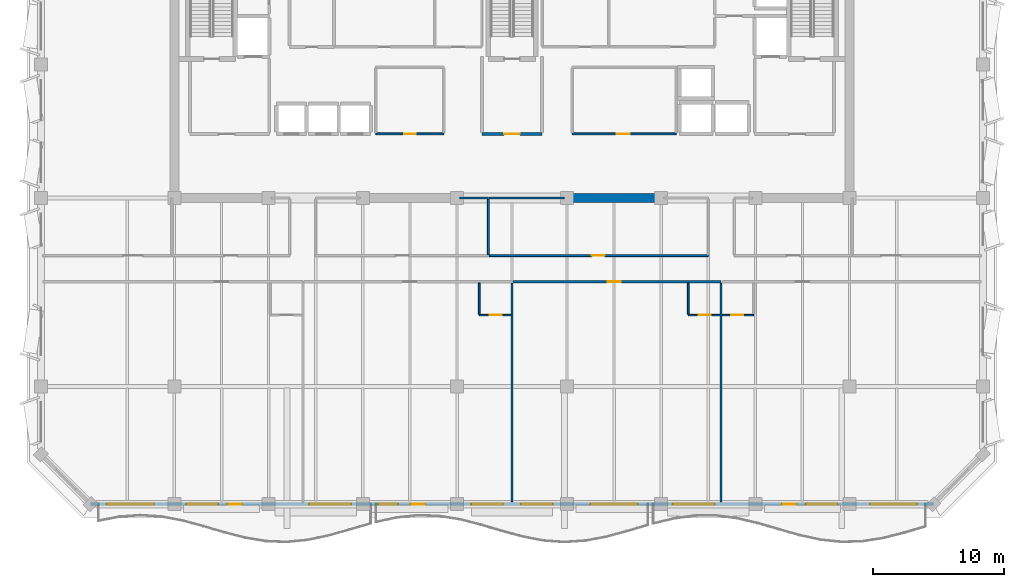
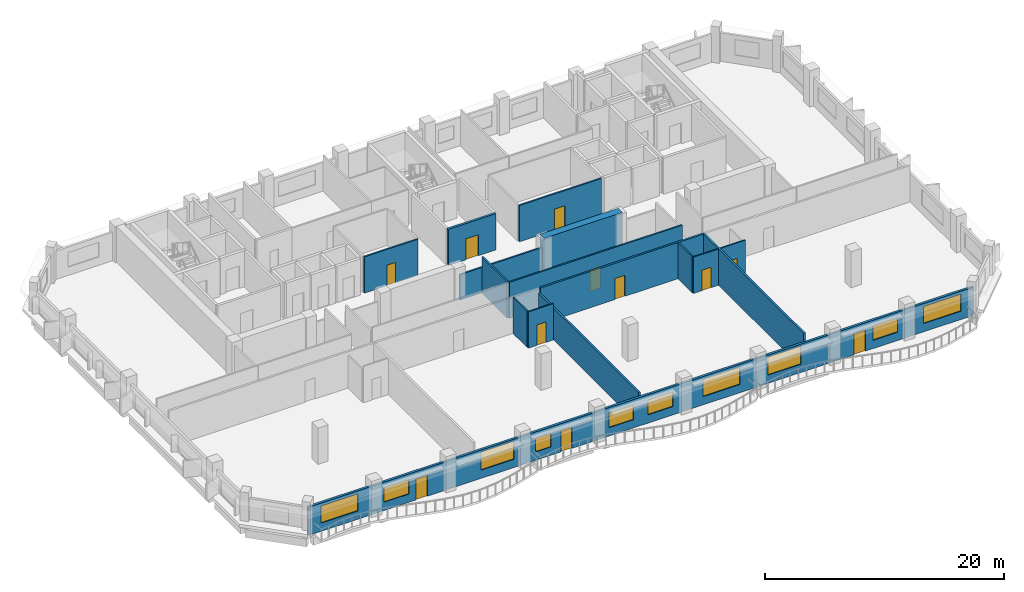
# One storey, part 4 of 11: 17 walls, 11 doors, 10 windows, 21 openings.
"""IFC4 building model written with IfcOpenShell, lengths in metres."""

from ifc_helpers import new_model, si_unit, direction, frame, frame_2d, origin, place, context, subcontext, project, spatial, rectangle, extrude, material, layer, layer_set, type_object, element, fill, save


model = new_model("IFC4")

# Units and contexts
model_context = context("Model", 3, precision=1e-05, world=origin(), true_north=direction((0.0, 1.0)))
body_context = subcontext(model_context, "Body", "Model", "MODEL_VIEW")
ifc_project = project(units=[si_unit("LENGTHUNIT", "METRE"), si_unit("AREAUNIT", "SQUARE_METRE"), si_unit("VOLUMEUNIT", "CUBIC_METRE"), si_unit("PLANEANGLEUNIT", "RADIAN"), si_unit("MASSUNIT", "GRAM", prefix="KILO")], contexts=[model_context])

# Site, building, storey
site_placement = place(None, origin())
site = spatial("IfcSite", under=ifc_project, at=site_placement, CompositionType="ELEMENT")
building_placement = place(site_placement, origin())
building = spatial("IfcBuilding", under=site, at=building_placement, Name="Kaelvorn Grand Hotel", CompositionType="ELEMENT")
storey_placement = place(building_placement, frame((0.0, 0.0, 268.64990234375)))
storey = spatial("IfcBuildingStorey", under=building, at=storey_placement, Name="L66", CompositionType="ELEMENT", Elevation=268.64990234375)

# Wall
ifc_material_1 = material(Name="Concrete C50/60", Category="concrete")
ifc_layer_1 = layer(ifc_material_1, 0.699951171875)
ifc_layer_set_1 = layer_set([ifc_layer_1], Name="Concrete C50/60")
wall_type_1 = type_object("IfcWallType", Name="WL-CORE-700-C50", PredefinedType="SHEAR", material=ifc_layer_set_1)
wall_1_placement = place(storey_placement, frame((46.0, 29.39990234375, 0.0), z_axis=(0.0, 0.0, 1.0), x_axis=(1.0, 0.0, 0.0)))
element("IfcWall", 1, at=wall_1_placement, inside=storey, type_object=wall_type_1, Name="L66 Rear-Core Coupled Shear Pier S3", PredefinedType="SHEAR", context=body_context, shape_type="SweptSolid", body=[
    extrude(rectangle(XDim=7.60009765625, YDim=0.699951171875, at=frame_2d((3.800048828125, 0.0))), origin(), (0.0, 0.0, 1.0), 3.710205078125),
])

# Wall, openings, doors, windows
ifc_material_2 = material(Name="Concrete C40/50", Category="concrete")
ifc_layer_2 = layer(ifc_material_2, 0.219970703125)
ifc_layer_set_2 = layer_set([ifc_layer_2], Name="Concrete C40/50")
wall_type_2 = type_object("IfcWallType", Name="WL-EXT-220-C40", PredefinedType="SOLIDWALL", material=ifc_layer_set_2)
wall_2_placement = place(storey_placement, frame((9.800048828125, 6.0, 0.0), z_axis=(0.0, 0.0, 1.0), x_axis=(1.0, 0.0, 0.0)))
wall_2 = element("IfcWall", 2, at=wall_2_placement, inside=storey, type_object=wall_type_2, Name="L66 Exterior Architectural Concrete Wall 01", PredefinedType="SOLIDWALL", context=body_context, shape_type="SweptSolid", body=[
    extrude(rectangle(XDim=64.39990234375, YDim=0.219970703125, at=frame_2d((32.199951171875, 0.0))), origin(), (0.0, 0.0, 1.0), 2.91015625),
])
opening_1_placement = place(wall_2_placement, frame((10.449951171875, 0.0, 0.0)))
opening_1 = element("IfcOpeningElement", 3, at=opening_1_placement, cuts=wall_2, Name="Opening DE2", PredefinedType="OPENING", context=body_context, shape_type="SweptSolid", body=[
    extrude(rectangle(XDim=1.10009765625, YDim=2.14990234375, at=frame_2d((0.550048828125, 1.074951171875))), frame((0.0, 0.1201171875, 0.0), z_axis=(0.0, -1.0, 0.0), x_axis=(1.0, 0.0, 0.0)), (0.0, 0.0, 1.0), 0.239990234375),
])
opening_2_placement = place(wall_2_placement, frame((24.449951171875, 0.0, 0.0)))
opening_2 = element("IfcOpeningElement", 4, at=opening_2_placement, cuts=wall_2, Name="Opening DE2", PredefinedType="OPENING", context=body_context, shape_type="SweptSolid", body=[
    extrude(rectangle(XDim=1.10009765625, YDim=2.14990234375, at=frame_2d((0.550048828125, 1.074951171875))), frame((0.0, 0.1201171875, 0.0), z_axis=(0.0, -1.0, 0.0), x_axis=(1.0, 0.0, 0.0)), (0.0, 0.0, 1.0), 0.239990234375),
])
opening_3_placement = place(wall_2_placement, frame((52.85009765625, 0.0, 0.0)))
opening_3 = element("IfcOpeningElement", 5, at=opening_3_placement, cuts=wall_2, Name="Opening DE2", PredefinedType="OPENING", context=body_context, shape_type="SweptSolid", body=[
    extrude(rectangle(XDim=1.10009765625, YDim=2.14990234375, at=frame_2d((0.550048828125, 1.074951171875))), frame((0.0, 0.1201171875, 0.0), z_axis=(0.0, -1.0, 0.0), x_axis=(1.0, 0.0, 0.0)), (0.0, 0.0, 1.0), 0.239990234375),
])
opening_4_placement = place(wall_2_placement, frame((1.235107421875, 0.0, 0.85009765625)))
opening_4 = element("IfcOpeningElement", 6, at=opening_4_placement, cuts=wall_2, Name="Opening W3", PredefinedType="OPENING", context=body_context, shape_type="SweptSolid", body=[
    extrude(rectangle(XDim=3.60009765625, YDim=1.75, at=frame_2d((1.800048828125, 0.875))), frame((0.0, 0.1201171875, 0.0), z_axis=(0.0, -1.0, 0.0), x_axis=(1.0, 0.0, 0.0)), (0.0, 0.0, 1.0), 0.239990234375),
])
opening_5_placement = place(wall_2_placement, frame((7.340087890625, 0.0, 0.85009765625)))
opening_5 = element("IfcOpeningElement", 7, at=opening_5_placement, cuts=wall_2, Name="Opening W6", PredefinedType="OPENING", context=body_context, shape_type="SweptSolid", body=[
    extrude(rectangle(XDim=2.39990234375, YDim=1.5, at=frame_2d((1.199951171875, 0.75))), frame((0.0, 0.1201171875, 0.0), z_axis=(0.0, -1.0, 0.0), x_axis=(1.0, 0.0, 0.0)), (0.0, 0.0, 1.0), 0.239990234375),
])
opening_6_placement = place(wall_2_placement, frame((16.71240234375, 0.0, 0.85009765625)))
opening_6 = element("IfcOpeningElement", 8, at=opening_6_placement, cuts=wall_2, Name="Opening W4", PredefinedType="OPENING", context=body_context, shape_type="SweptSolid", body=[
    extrude(rectangle(XDim=3.199951171875, YDim=1.85009765625, at=frame_2d((1.60009765625, 0.925048828125))), frame((0.0, 0.1201171875, 0.0), z_axis=(0.0, -1.0, 0.0), x_axis=(1.0, 0.0, 0.0)), (0.0, 0.0, 1.0), 0.239990234375),
])
opening_7_placement = place(wall_2_placement, frame((21.989990234375, 0.0, 0.85009765625)))
opening_7 = element("IfcOpeningElement", 9, at=opening_7_placement, cuts=wall_2, Name="Opening W10", PredefinedType="OPENING", context=body_context, shape_type="SweptSolid", body=[
    extrude(rectangle(XDim=1.5, YDim=1.39990234375, at=frame_2d((0.75, 0.699951171875))), frame((0.0, 0.1201171875, 0.0), z_axis=(0.0, -1.0, 0.0), x_axis=(1.0, 0.0, 0.0)), (0.0, 0.0, 1.0), 0.239990234375),
])
opening_8_placement = place(wall_2_placement, frame((29.10009765625, 0.0, 0.85009765625)))
opening_8 = element("IfcOpeningElement", 10, at=opening_8_placement, cuts=wall_2, Name="Opening W6", PredefinedType="OPENING", context=body_context, shape_type="SweptSolid", body=[
    extrude(rectangle(XDim=2.39990234375, YDim=1.5, at=frame_2d((1.199951171875, 0.75))), frame((0.0, 0.1201171875, 0.0), z_axis=(0.0, -1.0, 0.0), x_axis=(1.0, 0.0, 0.0)), (0.0, 0.0, 1.0), 0.239990234375),
])
opening_9_placement = place(wall_2_placement, frame((32.89990234375, 0.0, 0.85009765625)))
opening_9 = element("IfcOpeningElement", 11, at=opening_9_placement, cuts=wall_2, Name="Opening W6", PredefinedType="OPENING", context=body_context, shape_type="SweptSolid", body=[
    extrude(rectangle(XDim=2.39990234375, YDim=1.5, at=frame_2d((1.199951171875, 0.75))), frame((0.0, 0.1201171875, 0.0), z_axis=(0.0, -1.0, 0.0), x_axis=(1.0, 0.0, 0.0)), (0.0, 0.0, 1.0), 0.239990234375),
])
opening_10_placement = place(wall_2_placement, frame((38.199951171875, 0.0, 0.85009765625)))
opening_10 = element("IfcOpeningElement", 12, at=opening_10_placement, cuts=wall_2, Name="Opening W3", PredefinedType="OPENING", context=body_context, shape_type="SweptSolid", body=[
    extrude(rectangle(XDim=3.60009765625, YDim=1.75, at=frame_2d((1.800048828125, 0.875))), frame((0.0, 0.1201171875, 0.0), z_axis=(0.0, -1.0, 0.0), x_axis=(1.0, 0.0, 0.0)), (0.0, 0.0, 1.0), 0.239990234375),
])
opening_11_placement = place(wall_2_placement, frame((44.487548828125, 0.0, 0.85009765625)))
opening_11 = element("IfcOpeningElement", 13, at=opening_11_placement, cuts=wall_2, Name="Opening W4", PredefinedType="OPENING", context=body_context, shape_type="SweptSolid", body=[
    extrude(rectangle(XDim=3.199951171875, YDim=1.85009765625, at=frame_2d((1.60009765625, 0.925048828125))), frame((0.0, 0.1201171875, 0.0), z_axis=(0.0, -1.0, 0.0), x_axis=(1.0, 0.0, 0.0)), (0.0, 0.0, 1.0), 0.239990234375),
])
opening_12_placement = place(wall_2_placement, frame((54.659912109375, 0.0, 0.85009765625)))
opening_12 = element("IfcOpeningElement", 14, at=opening_12_placement, cuts=wall_2, Name="Opening W6", PredefinedType="OPENING", context=body_context, shape_type="SweptSolid", body=[
    extrude(rectangle(XDim=2.39990234375, YDim=1.5, at=frame_2d((1.199951171875, 0.75))), frame((0.0, 0.1201171875, 0.0), z_axis=(0.0, -1.0, 0.0), x_axis=(1.0, 0.0, 0.0)), (0.0, 0.0, 1.0), 0.239990234375),
])
opening_13_placement = place(wall_2_placement, frame((59.56494140625, 0.0, 0.85009765625)))
opening_13 = element("IfcOpeningElement", 15, at=opening_13_placement, cuts=wall_2, Name="Opening W3", PredefinedType="OPENING", context=body_context, shape_type="SweptSolid", body=[
    extrude(rectangle(XDim=3.60009765625, YDim=1.75, at=frame_2d((1.800048828125, 0.875))), frame((0.0, 0.1201171875, 0.0), z_axis=(0.0, -1.0, 0.0), x_axis=(1.0, 0.0, 0.0)), (0.0, 0.0, 1.0), 0.239990234375),
])
ifc_material_3 = material(Name="Anodised Aluminium", Category="aluminium")
door_type_1 = type_object("IfcDoorType", Name="DR-EXT-BALC-1100x2150", OperationType="NOTDEFINED", PredefinedType="DOOR", material=ifc_material_3)
door_1_placement = place(opening_1_placement, origin())
door_1 = element("IfcDoor", 16, at=door_1_placement, inside=storey, type_object=door_type_1, Name="L66 Scalloped Balcony Glazed Door DE2-1", OperationType="SINGLE_SWING_LEFT", OverallHeight=2.14990234375, OverallWidth=1.10009765625, PredefinedType="DOOR", context=body_context, shape_type="SweptSolid", body=[
    extrude(rectangle(XDim=1.10009765625, YDim=2.14990234375, at=frame_2d((0.550048828125, 1.074951171875))), frame((0.0, 0.02490234375, 0.0), z_axis=(0.0, -1.0, 0.0), x_axis=(1.0, 0.0, 0.0)), (0.0, 0.0, 1.0), 0.050048828125),
])
fill(opening_1, door_1)
door_2_placement = place(opening_2_placement, origin())
door_2 = element("IfcDoor", 17, at=door_2_placement, inside=storey, type_object=door_type_1, Name="L66 Scalloped Balcony Glazed Door DE2-2", OperationType="SINGLE_SWING_RIGHT", OverallHeight=2.14990234375, OverallWidth=1.10009765625, PredefinedType="DOOR", context=body_context, shape_type="SweptSolid", body=[
    extrude(rectangle(XDim=1.10009765625, YDim=2.14990234375, at=frame_2d((0.550048828125, 1.074951171875))), frame((0.0, 0.02490234375, 0.0), z_axis=(0.0, -1.0, 0.0), x_axis=(1.0, 0.0, 0.0)), (0.0, 0.0, 1.0), 0.050048828125),
])
fill(opening_2, door_2)
door_3_placement = place(opening_3_placement, origin())
door_3 = element("IfcDoor", 18, at=door_3_placement, inside=storey, type_object=door_type_1, Name="L66 Scalloped Balcony Glazed Door DE2-3", OperationType="SINGLE_SWING_LEFT", OverallHeight=2.14990234375, OverallWidth=1.10009765625, PredefinedType="DOOR", context=body_context, shape_type="SweptSolid", body=[
    extrude(rectangle(XDim=1.10009765625, YDim=2.14990234375, at=frame_2d((0.550048828125, 1.074951171875))), frame((0.0, 0.02490234375, 0.0), z_axis=(0.0, -1.0, 0.0), x_axis=(1.0, 0.0, 0.0)), (0.0, 0.0, 1.0), 0.050048828125),
])
fill(opening_3, door_3)
ifc_material_4 = material(Name="Laminated Low-E Glass", Category="glass")
window_type_1 = type_object("IfcWindowType", Name="WIN-COR-1500x1400", PartitioningType="SINGLE_PANEL", PredefinedType="WINDOW", material=ifc_material_4)
window_1_placement = place(opening_7_placement, origin())
window_1 = element("IfcWindow", 19, at=window_1_placement, inside=storey, type_object=window_type_1, Name="L66 South Guestroom Ribbon Window SR04", OverallHeight=1.39990234375, OverallWidth=1.5, PartitioningType="SINGLE_PANEL", PredefinedType="WINDOW", context=body_context, shape_type="SweptSolid", body=[
    extrude(rectangle(XDim=1.5, YDim=1.39990234375, at=frame_2d((0.75, 0.699951171875))), frame((0.0, 0.030029296875, 0.0), z_axis=(0.0, -1.0, 0.0), x_axis=(1.0, 0.0, 0.0)), (0.0, 0.0, 1.0), 0.06005859375),
])
fill(opening_7, window_1)
window_type_2 = type_object("IfcWindowType", Name="WIN-NTH-2400x1500", PartitioningType="SINGLE_PANEL", PredefinedType="WINDOW", material=ifc_material_4)
window_2_placement = place(opening_5_placement, origin())
window_2 = element("IfcWindow", 20, at=window_2_placement, inside=storey, type_object=window_type_2, Name="L66 South Guestroom Ribbon Window SR02", OverallHeight=1.5, OverallWidth=2.39990234375, PartitioningType="SINGLE_PANEL", PredefinedType="WINDOW", context=body_context, shape_type="SweptSolid", body=[
    extrude(rectangle(XDim=2.39990234375, YDim=1.5, at=frame_2d((1.199951171875, 0.75))), frame((0.0, 0.030029296875, 0.0), z_axis=(0.0, -1.0, 0.0), x_axis=(1.0, 0.0, 0.0)), (0.0, 0.0, 1.0), 0.06005859375),
])
fill(opening_5, window_2)
window_3_placement = place(opening_8_placement, origin())
window_3 = element("IfcWindow", 21, at=window_3_placement, inside=storey, type_object=window_type_2, Name="L66 South Guestroom Ribbon Window SR05", OverallHeight=1.5, OverallWidth=2.39990234375, PartitioningType="SINGLE_PANEL", PredefinedType="WINDOW", context=body_context, shape_type="SweptSolid", body=[
    extrude(rectangle(XDim=2.39990234375, YDim=1.5, at=frame_2d((1.199951171875, 0.75))), frame((0.0, 0.030029296875, 0.0), z_axis=(0.0, -1.0, 0.0), x_axis=(1.0, 0.0, 0.0)), (0.0, 0.0, 1.0), 0.06005859375),
])
fill(opening_8, window_3)
window_4_placement = place(opening_9_placement, origin())
window_4 = element("IfcWindow", 22, at=window_4_placement, inside=storey, type_object=window_type_2, Name="L66 South Guestroom Ribbon Window SR06", OverallHeight=1.5, OverallWidth=2.39990234375, PartitioningType="SINGLE_PANEL", PredefinedType="WINDOW", context=body_context, shape_type="SweptSolid", body=[
    extrude(rectangle(XDim=2.39990234375, YDim=1.5, at=frame_2d((1.199951171875, 0.75))), frame((0.0, 0.030029296875, 0.0), z_axis=(0.0, -1.0, 0.0), x_axis=(1.0, 0.0, 0.0)), (0.0, 0.0, 1.0), 0.06005859375),
])
fill(opening_9, window_4)
window_5_placement = place(opening_12_placement, origin())
window_5 = element("IfcWindow", 23, at=window_5_placement, inside=storey, type_object=window_type_2, Name="L66 South Guestroom Ribbon Window SR09", OverallHeight=1.5, OverallWidth=2.39990234375, PartitioningType="SINGLE_PANEL", PredefinedType="WINDOW", context=body_context, shape_type="SweptSolid", body=[
    extrude(rectangle(XDim=2.39990234375, YDim=1.5, at=frame_2d((1.199951171875, 0.75))), frame((0.0, 0.030029296875, 0.0), z_axis=(0.0, -1.0, 0.0), x_axis=(1.0, 0.0, 0.0)), (0.0, 0.0, 1.0), 0.06005859375),
])
fill(opening_12, window_5)
window_type_3 = type_object("IfcWindowType", Name="WIN-RIB-3200x1850", PartitioningType="SINGLE_PANEL", PredefinedType="WINDOW", material=ifc_material_4)
window_6_placement = place(opening_6_placement, origin())
window_6 = element("IfcWindow", 24, at=window_6_placement, inside=storey, type_object=window_type_3, Name="L66 South Guestroom Ribbon Window SR03", OverallHeight=1.85009765625, OverallWidth=3.199951171875, PartitioningType="SINGLE_PANEL", PredefinedType="WINDOW", context=body_context, shape_type="SweptSolid", body=[
    extrude(rectangle(XDim=3.199951171875, YDim=1.85009765625, at=frame_2d((1.60009765625, 0.925048828125))), frame((0.0, 0.030029296875, 0.0), z_axis=(0.0, -1.0, 0.0), x_axis=(1.0, 0.0, 0.0)), (0.0, 0.0, 1.0), 0.06005859375),
])
fill(opening_6, window_6)
window_7_placement = place(opening_11_placement, origin())
window_7 = element("IfcWindow", 25, at=window_7_placement, inside=storey, type_object=window_type_3, Name="L66 South Guestroom Ribbon Window SR08", OverallHeight=1.85009765625, OverallWidth=3.199951171875, PartitioningType="SINGLE_PANEL", PredefinedType="WINDOW", context=body_context, shape_type="SweptSolid", body=[
    extrude(rectangle(XDim=3.199951171875, YDim=1.85009765625, at=frame_2d((1.60009765625, 0.925048828125))), frame((0.0, 0.030029296875, 0.0), z_axis=(0.0, -1.0, 0.0), x_axis=(1.0, 0.0, 0.0)), (0.0, 0.0, 1.0), 0.06005859375),
])
fill(opening_11, window_7)
window_type_4 = type_object("IfcWindowType", Name="WIN-RIB-3600x1750", PartitioningType="SINGLE_PANEL", PredefinedType="WINDOW", material=ifc_material_4)
window_8_placement = place(opening_4_placement, origin())
window_8 = element("IfcWindow", 26, at=window_8_placement, inside=storey, type_object=window_type_4, Name="L66 South Guestroom Ribbon Window SR01", OverallHeight=1.75, OverallWidth=3.60009765625, PartitioningType="SINGLE_PANEL", PredefinedType="WINDOW", context=body_context, shape_type="SweptSolid", body=[
    extrude(rectangle(XDim=3.60009765625, YDim=1.75, at=frame_2d((1.800048828125, 0.875))), frame((0.0, 0.030029296875, 0.0), z_axis=(0.0, -1.0, 0.0), x_axis=(1.0, 0.0, 0.0)), (0.0, 0.0, 1.0), 0.06005859375),
])
fill(opening_4, window_8)
window_9_placement = place(opening_10_placement, origin())
window_9 = element("IfcWindow", 27, at=window_9_placement, inside=storey, type_object=window_type_4, Name="L66 South Guestroom Ribbon Window SR07", OverallHeight=1.75, OverallWidth=3.60009765625, PartitioningType="SINGLE_PANEL", PredefinedType="WINDOW", context=body_context, shape_type="SweptSolid", body=[
    extrude(rectangle(XDim=3.60009765625, YDim=1.75, at=frame_2d((1.800048828125, 0.875))), frame((0.0, 0.030029296875, 0.0), z_axis=(0.0, -1.0, 0.0), x_axis=(1.0, 0.0, 0.0)), (0.0, 0.0, 1.0), 0.06005859375),
])
fill(opening_10, window_9)
window_10_placement = place(opening_13_placement, origin())
window_10 = element("IfcWindow", 28, at=window_10_placement, inside=storey, type_object=window_type_4, Name="L66 South Guestroom Ribbon Window SR10", OverallHeight=1.75, OverallWidth=3.60009765625, PartitioningType="SINGLE_PANEL", PredefinedType="WINDOW", context=body_context, shape_type="SweptSolid", body=[
    extrude(rectangle(XDim=3.60009765625, YDim=1.75, at=frame_2d((1.800048828125, 0.875))), frame((0.0, 0.030029296875, 0.0), z_axis=(0.0, -1.0, 0.0), x_axis=(1.0, 0.0, 0.0)), (0.0, 0.0, 1.0), 0.06005859375),
])
fill(opening_13, window_10)

# Wall, opening, door
ifc_material_5 = material(Name="Moisture-Resistant Tile & Stud Board")
ifc_layer_3 = layer(ifc_material_5, 0.125)
ifc_layer_set_3 = layer_set([ifc_layer_3], Name="Moisture-Resistant Tile & Stud Board")
wall_type_3 = type_object("IfcWallType", Name="WL-PART-125-WET", PredefinedType="PARTITIONING", material=ifc_layer_set_3)
wall_3_placement = place(storey_placement, frame((39.5, 20.449951171875, 0.0), z_axis=(0.0, 0.0, 1.0), x_axis=(1.0, 0.0, 0.0)))
wall_3 = element("IfcWall", 29, at=wall_3_placement, inside=storey, type_object=wall_type_3, Name="L66 En-suite Bathroom L66-02 S Partition", PredefinedType="PARTITIONING", context=body_context, shape_type="SweptSolid", body=[
    extrude(rectangle(XDim=2.405029296875, YDim=0.125, at=frame_2d((1.20263671875, 0.0))), origin(), (0.0, 0.0, 1.0), 3.710205078125),
])
opening_14_placement = place(wall_3_placement, frame((0.800048828125, 0.0, 0.0)))
opening_14 = element("IfcOpeningElement", 30, at=opening_14_placement, cuts=wall_3, Name="Opening DI4", PredefinedType="OPENING", context=body_context, shape_type="SweptSolid", body=[
    extrude(rectangle(XDim=0.89990234375, YDim=2.10009765625, at=frame_2d((0.449951171875, 1.050048828125))), frame((0.0, 0.072509765625, 0.0), z_axis=(0.0, -1.0, 0.0), x_axis=(1.0, 0.0, 0.0)), (0.0, 0.0, 1.0), 0.14501953125),
])
ifc_material_6 = material(Name="Timber Veneer Leaf", Category="wood")
door_type_2 = type_object("IfcDoorType", Name="DR-INT-BATH-900x2100", OperationType="NOTDEFINED", PredefinedType="DOOR", material=ifc_material_6)
door_4_placement = place(opening_14_placement, origin())
door_4 = element("IfcDoor", 31, at=door_4_placement, inside=storey, type_object=door_type_2, Name="L66 En-suite Bathroom L66-02 Door", OperationType="SINGLE_SWING_LEFT", OverallHeight=2.10009765625, OverallWidth=0.89990234375, PredefinedType="DOOR", context=body_context, shape_type="SweptSolid", body=[
    extrude(rectangle(XDim=0.89990234375, YDim=2.10009765625, at=frame_2d((0.449951171875, 1.050048828125))), frame((0.0, 0.02490234375, 0.0), z_axis=(0.0, -1.0, 0.0), x_axis=(1.0, 0.0, 0.0)), (0.0, 0.0, 1.0), 0.050048828125),
])
fill(opening_14, door_4)

# Wall
wall_4_placement = place(storey_placement, frame((39.5, 20.517578125, 0.0), z_axis=(0.0, 0.0, 1.0), x_axis=(0.0, 1.0, 0.0)))
element("IfcWall", 32, at=wall_4_placement, inside=storey, type_object=wall_type_3, Name="L66 En-suite Bathroom L66-02 W Partition", PredefinedType="PARTITIONING", context=body_context, shape_type="SweptSolid", body=[
    extrude(rectangle(XDim=2.387451171875, YDim=0.125, at=frame_2d((1.19384765625, 0.0))), origin(), (0.0, 0.0, 1.0), 3.710205078125),
])

# Wall, opening, door
wall_5_placement = place(storey_placement, frame((55.47509765625, 20.449951171875, 0.0), z_axis=(0.0, 0.0, 1.0), x_axis=(1.0, 0.0, 0.0)))
wall_5 = element("IfcWall", 33, at=wall_5_placement, inside=storey, type_object=wall_type_3, Name="L66 En-suite Bathroom L66-03 S Partition", PredefinedType="PARTITIONING", context=body_context, shape_type="SweptSolid", body=[
    extrude(rectangle(XDim=2.40478515625, YDim=0.125, at=frame_2d((1.202392578125, 0.0))), origin(), (0.0, 0.0, 1.0), 3.710205078125),
])
opening_15_placement = place(wall_5_placement, frame((0.800048828125, 0.0, 0.0)))
opening_15 = element("IfcOpeningElement", 34, at=opening_15_placement, cuts=wall_5, Name="Opening DI4", PredefinedType="OPENING", context=body_context, shape_type="SweptSolid", body=[
    extrude(rectangle(XDim=0.89990234375, YDim=2.10009765625, at=frame_2d((0.449951171875, 1.050048828125))), frame((0.0, 0.072509765625, 0.0), z_axis=(0.0, -1.0, 0.0), x_axis=(1.0, 0.0, 0.0)), (0.0, 0.0, 1.0), 0.14501953125),
])
door_5_placement = place(opening_15_placement, origin())
door_5 = element("IfcDoor", 35, at=door_5_placement, inside=storey, type_object=door_type_2, Name="L66 En-suite Bathroom L66-03 Door", OperationType="SINGLE_SWING_LEFT", OverallHeight=2.10009765625, OverallWidth=0.89990234375, PredefinedType="DOOR", context=body_context, shape_type="SweptSolid", body=[
    extrude(rectangle(XDim=0.89990234375, YDim=2.10009765625, at=frame_2d((0.449951171875, 1.050048828125))), frame((0.0, 0.02490234375, 0.0), z_axis=(0.0, -1.0, 0.0), x_axis=(1.0, 0.0, 0.0)), (0.0, 0.0, 1.0), 0.050048828125),
])
fill(opening_15, door_5)

# Wall
wall_6_placement = place(storey_placement, frame((55.47509765625, 20.517578125, 0.0), z_axis=(0.0, 0.0, 1.0), x_axis=(0.0, 1.0, 0.0)))
element("IfcWall", 36, at=wall_6_placement, inside=storey, type_object=wall_type_3, Name="L66 En-suite Bathroom L66-03 W Partition", PredefinedType="PARTITIONING", context=body_context, shape_type="SweptSolid", body=[
    extrude(rectangle(XDim=2.387451171875, YDim=0.125, at=frame_2d((1.19384765625, 0.0))), origin(), (0.0, 0.0, 1.0), 3.710205078125),
])

# Wall, opening, door
wall_7_placement = place(storey_placement, frame((58.070068359375, 20.449951171875, 0.0), z_axis=(0.0, 0.0, 1.0), x_axis=(1.0, 0.0, 0.0)))
wall_7 = element("IfcWall", 37, at=wall_7_placement, inside=storey, type_object=wall_type_3, Name="L66 En-suite Bathroom L66-04 S Partition", PredefinedType="PARTITIONING", context=body_context, shape_type="SweptSolid", body=[
    extrude(rectangle(XDim=2.405029296875, YDim=0.125, at=frame_2d((1.20263671875, 0.0))), origin(), (0.0, 0.0, 1.0), 3.710205078125),
])
opening_16_placement = place(wall_7_placement, frame((0.705078125, 0.0, 0.0)))
opening_16 = element("IfcOpeningElement", 38, at=opening_16_placement, cuts=wall_7, Name="Opening DI4", PredefinedType="OPENING", context=body_context, shape_type="SweptSolid", body=[
    extrude(rectangle(XDim=0.89990234375, YDim=2.10009765625, at=frame_2d((0.449951171875, 1.050048828125))), frame((0.0, 0.072509765625, 0.0), z_axis=(0.0, -1.0, 0.0), x_axis=(1.0, 0.0, 0.0)), (0.0, 0.0, 1.0), 0.14501953125),
])
door_6_placement = place(opening_16_placement, origin())
door_6 = element("IfcDoor", 39, at=door_6_placement, inside=storey, type_object=door_type_2, Name="L66 En-suite Bathroom L66-04 Door", OperationType="SINGLE_SWING_LEFT", OverallHeight=2.10009765625, OverallWidth=0.89990234375, PredefinedType="DOOR", context=body_context, shape_type="SweptSolid", body=[
    extrude(rectangle(XDim=0.89990234375, YDim=2.10009765625, at=frame_2d((0.449951171875, 1.050048828125))), frame((0.0, 0.02490234375, 0.0), z_axis=(0.0, -1.0, 0.0), x_axis=(1.0, 0.0, 0.0)), (0.0, 0.0, 1.0), 0.050048828125),
])
fill(opening_16, door_6)

ifc_material_7 = material(Name="Acoustic Gypsum & Stud Partition")
ifc_layer_4 = layer(ifc_material_7, 0.14990234375)
ifc_layer_set_4 = layer_set([ifc_layer_4], Name="Acoustic Gypsum & Stud Partition")
wall_type_4 = type_object("IfcWallType", Name="WL-PART-150-EI60", PredefinedType="PARTITIONING", material=ifc_layer_set_4)
wall_8_placement = place(storey_placement, frame((31.60009765625, 34.300048828125, 0.0), z_axis=(0.0, 0.0, 1.0), x_axis=(1.0, 0.0, 0.0)))
wall_8 = element("IfcWall", 40, at=wall_8_placement, inside=storey, type_object=wall_type_4, Name="L66 Core Telecoms & BMS Server Room S Partition", PredefinedType="PARTITIONING", context=body_context, shape_type="SweptSolid", body=[
    extrude(rectangle(XDim=5.199951171875, YDim=0.14990234375, at=frame_2d((2.60009765625, 0.0))), origin(), (0.0, 0.0, 1.0), 3.710205078125),
])
opening_17_placement = place(wall_8_placement, frame((2.175048828125, 0.0, 0.0)))
opening_17 = element("IfcOpeningElement", 41, at=opening_17_placement, cuts=wall_8, Name="Opening DI7", PredefinedType="OPENING", context=body_context, shape_type="SweptSolid", body=[
    extrude(rectangle(XDim=0.85009765625, YDim=2.10009765625, at=frame_2d((0.425048828125, 1.050048828125))), frame((0.0, 0.0849609375, 0.0), z_axis=(0.0, -1.0, 0.0), x_axis=(1.0, 0.0, 0.0)), (0.0, 0.0, 1.0), 0.169921875),
])
ifc_material_8 = material(Name="Powder-Coated Steel Leaf", Category="steel")
door_type_3 = type_object("IfcDoorType", Name="DR-INT-RISER-850x2100", OperationType="NOTDEFINED", PredefinedType="DOOR", material=ifc_material_8)
door_7_placement = place(opening_17_placement, origin())
door_7 = element("IfcDoor", 42, at=door_7_placement, inside=storey, type_object=door_type_3, Name="L66 Core Telecoms & BMS Server Room Door", OperationType="SINGLE_SWING_LEFT", OverallHeight=2.10009765625, OverallWidth=0.85009765625, PredefinedType="DOOR", context=body_context, shape_type="SweptSolid", body=[
    extrude(rectangle(XDim=0.85009765625, YDim=2.10009765625, at=frame_2d((0.425048828125, 1.050048828125))), frame((0.0, 0.02490234375, 0.0), z_axis=(0.0, -1.0, 0.0), x_axis=(1.0, 0.0, 0.0)), (0.0, 0.0, 1.0), 0.050048828125),
])
fill(opening_17, door_7)

wall_9_placement = place(storey_placement, frame((46.60009765625, 34.300048828125, 0.0), z_axis=(0.0, 0.0, 1.0), x_axis=(1.0, 0.0, 0.0)))
wall_9 = element("IfcWall", 43, at=wall_9_placement, inside=storey, type_object=wall_type_4, Name="L66 Sky Concierge & Butler Pantry Lounge S Partition", PredefinedType="PARTITIONING", context=body_context, shape_type="SweptSolid", body=[
    extrude(rectangle(XDim=7.949951171875, YDim=0.14990234375, at=frame_2d((3.97509765625, 0.0))), origin(), (0.0, 0.0, 1.0), 3.710205078125),
])
opening_18_placement = place(wall_9_placement, frame((3.39990234375, 0.0, 0.0)))
opening_18 = element("IfcOpeningElement", 44, at=opening_18_placement, cuts=wall_9, Name="Opening DI3", PredefinedType="OPENING", context=body_context, shape_type="SweptSolid", body=[
    extrude(rectangle(XDim=1.0, YDim=2.14990234375, at=frame_2d((0.5, 1.074951171875))), frame((0.0, 0.0849609375, 0.0), z_axis=(0.0, -1.0, 0.0), x_axis=(1.0, 0.0, 0.0)), (0.0, 0.0, 1.0), 0.169921875),
])
ifc_material_9 = material(Name="Timber Veneer Fire Leaf", Category="wood")
door_type_4 = type_object("IfcDoorType", Name="DR-INT-GUEST-1000x2150", OperationType="NOTDEFINED", PredefinedType="DOOR", material=ifc_material_9)
door_8_placement = place(opening_18_placement, origin())
door_8 = element("IfcDoor", 45, at=door_8_placement, inside=storey, type_object=door_type_4, Name="L66 Sky Concierge & Butler Pantry Lounge Door", OperationType="SINGLE_SWING_RIGHT", OverallHeight=2.14990234375, OverallWidth=1.0, PredefinedType="DOOR", context=body_context, shape_type="SweptSolid", body=[
    extrude(rectangle(XDim=1.0, YDim=2.14990234375, at=frame_2d((0.5, 1.074951171875))), frame((0.0, 0.02490234375, 0.0), z_axis=(0.0, -1.0, 0.0), x_axis=(1.0, 0.0, 0.0)), (0.0, 0.0, 1.0), 0.050048828125),
])
fill(opening_18, door_8)

# Walls
wall_10_placement = place(storey_placement, frame((38.010009765625, 29.39990234375, 0.0), z_axis=(0.0, 0.0, 1.0), x_axis=(1.0, 0.0, 0.0)))
element("IfcWall", 46, at=wall_10_placement, inside=storey, type_object=wall_type_4, Name="L66 Guest Pantry Kitchen N Partition (2)", PredefinedType="PARTITIONING", context=body_context, shape_type="SweptSolid", body=[
    extrude(rectangle(XDim=2.18994140625, YDim=0.14990234375, at=frame_2d((1.094970703125, 0.0))), origin(), (0.0, 0.0, 1.0), 2.610107421875),
])
wall_11_placement = place(storey_placement, frame((40.199951171875, 25.080078125, 0.0), z_axis=(0.0, 0.0, 1.0), x_axis=(0.0, 1.0, 0.0)))
element("IfcWall", 47, at=wall_11_placement, inside=storey, type_object=wall_type_4, Name="L66 Guest Pantry Kitchen E Partition", PredefinedType="PARTITIONING", context=body_context, shape_type="SweptSolid", body=[
    extrude(rectangle(XDim=4.239990234375, YDim=0.14990234375, at=frame_2d((2.1201171875, 0.0))), origin(), (0.0, 0.0, 1.0), 3.710205078125),
])

# Wall, opening, door
wall_12_placement = place(storey_placement, frame((40.280029296875, 25.0, 0.0), z_axis=(0.0, 0.0, 1.0), x_axis=(1.0, 0.0, 0.0)))
wall_12 = element("IfcWall", 48, at=wall_12_placement, inside=storey, type_object=wall_type_4, Name="L66 Diplomatic Living Room S Partition", PredefinedType="PARTITIONING", context=body_context, shape_type="SweptSolid", body=[
    extrude(rectangle(XDim=16.719970703125, YDim=0.14990234375, at=frame_2d((8.35986328125, 0.0))), origin(), (0.0, 0.0, 1.0), 3.710205078125),
])
opening_19_placement = place(wall_12_placement, frame((7.820068359375, 0.0, 0.0)))
opening_19 = element("IfcOpeningElement", 49, at=opening_19_placement, cuts=wall_12, Name="Opening DI3", PredefinedType="OPENING", context=body_context, shape_type="SweptSolid", body=[
    extrude(rectangle(XDim=1.0, YDim=2.14990234375, at=frame_2d((0.5, 1.074951171875))), frame((0.0, 0.0849609375, 0.0), z_axis=(0.0, -1.0, 0.0), x_axis=(1.0, 0.0, 0.0)), (0.0, 0.0, 1.0), 0.169921875),
])
door_9_placement = place(opening_19_placement, origin())
door_9 = element("IfcDoor", 50, at=door_9_placement, inside=storey, type_object=door_type_4, Name="L66 Diplomatic Living Room Door", OperationType="SINGLE_SWING_RIGHT", OverallHeight=2.14990234375, OverallWidth=1.0, PredefinedType="DOOR", context=body_context, shape_type="SweptSolid", body=[
    extrude(rectangle(XDim=1.0, YDim=2.14990234375, at=frame_2d((0.5, 1.074951171875))), frame((0.0, 0.02490234375, 0.0), z_axis=(0.0, -1.0, 0.0), x_axis=(1.0, 0.0, 0.0)), (0.0, 0.0, 1.0), 0.050048828125),
])
fill(opening_19, door_9)

# Walls
wall_13_placement = place(storey_placement, frame((40.280029296875, 29.39990234375, 0.0), z_axis=(0.0, 0.0, 1.0), x_axis=(1.0, 0.0, 0.0)))
element("IfcWall", 51, at=wall_13_placement, inside=storey, type_object=wall_type_4, Name="L66 Diplomatic Living Room N Partition (1)", PredefinedType="PARTITIONING", context=body_context, shape_type="SweptSolid", body=[
    extrude(rectangle(XDim=5.7099609375, YDim=0.14990234375, at=frame_2d((2.85498046875, 0.0))), origin(), (0.0, 0.0, 1.0), 2.610107421875),
])
ifc_layer_5 = layer(ifc_material_7, 0.179931640625)
ifc_layer_set_5 = layer_set([ifc_layer_5], Name="Acoustic Gypsum & Stud Partition")
wall_type_5 = type_object("IfcWallType", Name="WL-PART-180-EI60", PredefinedType="PARTITIONING", material=ifc_layer_set_5)
wall_14_placement = place(storey_placement, frame((42.0, 6.14990234375, 0.0), z_axis=(0.0, 0.0, 1.0), x_axis=(0.0, 1.0, 0.0)))
element("IfcWall", 52, at=wall_14_placement, inside=storey, type_object=wall_type_5, Name="L66 Presidential Sky Suite L66-02 E Partition", PredefinedType="PARTITIONING", context=body_context, shape_type="SweptSolid", body=[
    extrude(rectangle(XDim=16.755126953125, YDim=0.179931640625, at=frame_2d((8.37744140625, 0.0))), origin(), (0.0, 0.0, 1.0), 3.260009765625),
])

# Wall, opening, door
wall_15_placement = place(storey_placement, frame((42.094970703125, 23.0, 0.0), z_axis=(0.0, 0.0, 1.0), x_axis=(1.0, 0.0, 0.0)))
wall_15 = element("IfcWall", 53, at=wall_15_placement, inside=storey, type_object=wall_type_5, Name="L66 Presidential Sky Suite L66-03 N Partition", PredefinedType="PARTITIONING", context=body_context, shape_type="SweptSolid", body=[
    extrude(rectangle(XDim=15.880126953125, YDim=0.179931640625, at=frame_2d((7.93994140625, 0.0))), origin(), (0.0, 0.0, 1.0), 3.710205078125),
])
opening_20_placement = place(wall_15_placement, frame((7.205078125, 0.0, 0.0)))
opening_20 = element("IfcOpeningElement", 54, at=opening_20_placement, cuts=wall_15, Name="Opening DI3", PredefinedType="OPENING", context=body_context, shape_type="SweptSolid", body=[
    extrude(rectangle(XDim=1.0, YDim=2.14990234375, at=frame_2d((0.5, 1.074951171875))), frame((0.0, 0.10009765625, 0.0), z_axis=(0.0, -1.0, 0.0), x_axis=(1.0, 0.0, 0.0)), (0.0, 0.0, 1.0), 0.199951171875),
])
door_10_placement = place(opening_20_placement, origin())
door_10 = element("IfcDoor", 55, at=door_10_placement, inside=storey, type_object=door_type_4, Name="L66 Presidential Sky Suite L66-03 Door", OperationType="SINGLE_SWING_RIGHT", OverallHeight=2.14990234375, OverallWidth=1.0, PredefinedType="DOOR", context=body_context, shape_type="SweptSolid", body=[
    extrude(rectangle(XDim=1.0, YDim=2.14990234375, at=frame_2d((0.5, 1.074951171875))), frame((0.0, 0.02490234375, 0.0), z_axis=(0.0, -1.0, 0.0), x_axis=(1.0, 0.0, 0.0)), (0.0, 0.0, 1.0), 0.050048828125),
])
fill(opening_20, door_10)

# Wall
wall_16_placement = place(storey_placement, frame((57.97509765625, 6.14990234375, 0.0), z_axis=(0.0, 0.0, 1.0), x_axis=(0.0, 1.0, 0.0)))
element("IfcWall", 56, at=wall_16_placement, inside=storey, type_object=wall_type_5, Name="L66 Presidential Sky Suite L66-03 E Partition", PredefinedType="PARTITIONING", context=body_context, shape_type="SweptSolid", body=[
    extrude(rectangle(XDim=16.755126953125, YDim=0.179931640625, at=frame_2d((8.37744140625, 0.0))), origin(), (0.0, 0.0, 1.0), 3.710205078125),
])

# Wall, opening, door
ifc_layer_6 = layer(ifc_material_2, 0.219970703125)
ifc_layer_set_6 = layer_set([ifc_layer_6], Name="Concrete C40/50")
wall_type_6 = type_object("IfcWallType", Name="WL-PART-220-EI120", PredefinedType="PARTITIONING", material=ifc_layer_set_6)
wall_17_placement = place(storey_placement, frame((39.699951171875, 34.300048828125, 0.0), z_axis=(0.0, 0.0, 1.0), x_axis=(1.0, 0.0, 0.0)))
wall_17 = element("IfcWall", 57, at=wall_17_placement, inside=storey, type_object=wall_type_6, Name="L66 Central Stair Escape Vestibule S Partition", PredefinedType="PARTITIONING", context=body_context, shape_type="SweptSolid", body=[
    extrude(rectangle(XDim=4.60009765625, YDim=0.219970703125, at=frame_2d((2.300048828125, 0.0))), origin(), (0.0, 0.0, 1.0), 3.710205078125),
])
opening_21_placement = place(wall_17_placement, frame((1.699951171875, 0.0, 0.0)))
opening_21 = element("IfcOpeningElement", 58, at=opening_21_placement, cuts=wall_17, Name="Opening DI2", PredefinedType="OPENING", context=body_context, shape_type="SweptSolid", body=[
    extrude(rectangle(XDim=1.199951171875, YDim=2.14990234375, at=frame_2d((0.60009765625, 1.074951171875))), frame((0.0, 0.1201171875, 0.0), z_axis=(0.0, -1.0, 0.0), x_axis=(1.0, 0.0, 0.0)), (0.0, 0.0, 1.0), 0.239990234375),
])
door_type_5 = type_object("IfcDoorType", Name="DR-INT-FFLOB-1200x2150", OperationType="NOTDEFINED", PredefinedType="DOOR", material=ifc_material_9)
door_11_placement = place(opening_21_placement, origin())
door_11 = element("IfcDoor", 59, at=door_11_placement, inside=storey, type_object=door_type_5, Name="L66 Central Stair Escape Vestibule Door", OperationType="SINGLE_SWING_LEFT", OverallHeight=2.14990234375, OverallWidth=1.199951171875, PredefinedType="DOOR", context=body_context, shape_type="SweptSolid", body=[
    extrude(rectangle(XDim=1.199951171875, YDim=2.14990234375, at=frame_2d((0.60009765625, 1.074951171875))), frame((0.0, 0.02490234375, 0.0), z_axis=(0.0, -1.0, 0.0), x_axis=(1.0, 0.0, 0.0)), (0.0, 0.0, 1.0), 0.050048828125),
])
fill(opening_21, door_11)

save(model, "model.ifc")
